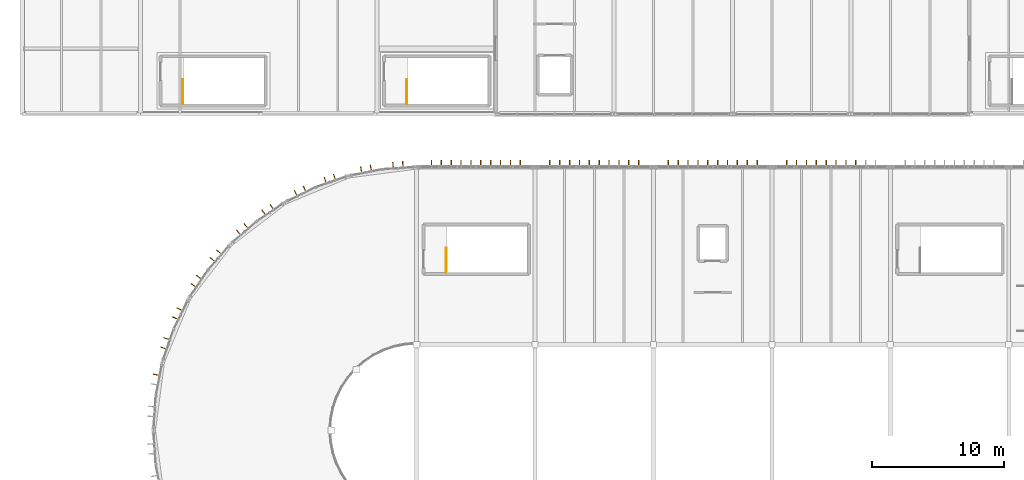
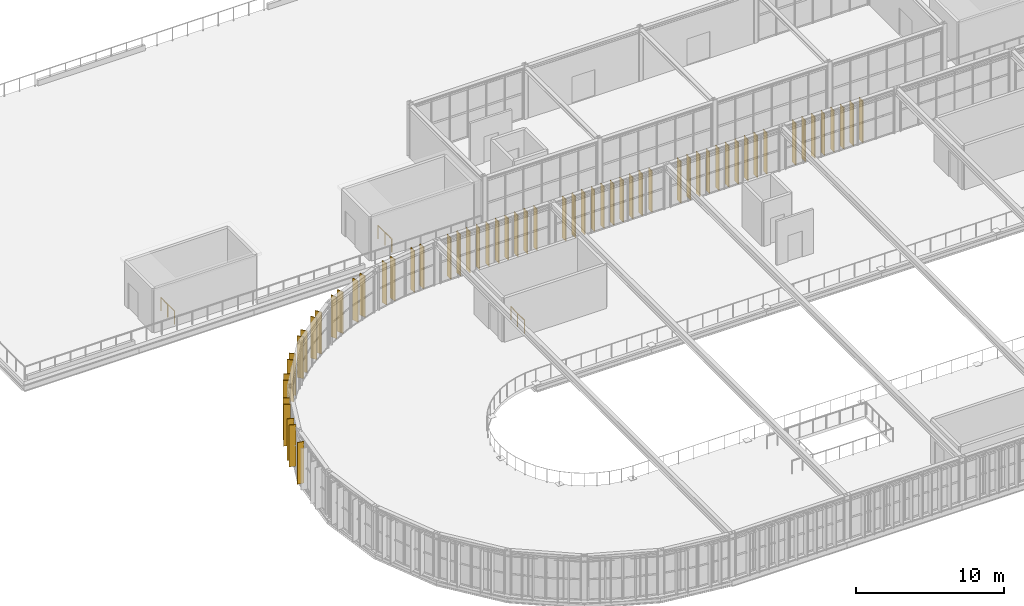
# One storey, part 146 of 152: 59 coverings, 3 railings.
"""IFC4 building model written with IfcOpenShell, lengths in metres."""

import ifcopenshell
import ifcopenshell.guid

model = None  # the IFC model being written
_history = None  # IfcOwnerHistory: only IFC2X3 demands one
_inside = {}  # id of a spatial element -> (the spatial element, [elements in it])
_under = {}  # id of a project, library or spatial element -> (it, [spatial elements below it])
_declared = {}  # id of a project -> (the project, [libraries it declares])
_typed = {}  # id of a type object -> (the type object, [elements of that type])
_made_of = {}  # id of a material, layer set ... -> (it, [elements and type objects made of it])


def new_model(schema):
    """Start an empty IFC model of exactly this schema.

    Asked for "IFC4X3", IfcOpenShell would pick the latest addendum, in which some entities
    have other attributes; the version numbers below select the first issue.
    IFC2X3 requires an IfcOwnerHistory on every rooted entity: one is made here for all.
    """
    global model, _history
    if schema == "IFC4X3":
        model = ifcopenshell.file(schema_version=(4, 3, 0, 0))
    else:
        model = ifcopenshell.file(schema=schema)
    _inside.clear()
    _under.clear()
    _declared.clear()
    _typed.clear()
    _made_of.clear()
    _history = None
    if model.schema == "IFC2X3":
        org = make("IfcOrganization", Name="unknown")
        user = make(
            "IfcPersonAndOrganization",
            ThePerson=make("IfcPerson", FamilyName="unknown"),
            TheOrganization=org,
        )
        app = make(
            "IfcApplication",
            ApplicationDeveloper=org,
            Version="unknown",
            ApplicationFullName="unknown",
            ApplicationIdentifier="unknown",
        )
        _history = make(
            "IfcOwnerHistory",
            OwningUser=user,
            OwningApplication=app,
            ChangeAction="ADDED",
            CreationDate=0,
        )
    return model


def make(cls, **values):
    """One entity of the class cls with the attributes given. An attribute that is None is left unset."""
    return model.create_entity(
        cls, **{name: value for name, value in values.items() if value is not None}
    )


def rooted(cls, **values):
    """An entity with a GlobalId (a new one), such as an element, a storey or a relation."""
    return make(cls, GlobalId=ifcopenshell.guid.new(), OwnerHistory=_history, **values)


def si_unit(unit_type, name, prefix=None):
    """IfcSIUnit, for example si_unit("LENGTHUNIT", "METRE", prefix="MILLI")."""
    return make("IfcSIUnit", UnitType=unit_type, Prefix=prefix, Name=name)


def derived_unit(unit_type, elements):
    """IfcDerivedUnit: a product of units, each with its exponent."""
    return make(
        "IfcDerivedUnit",
        Elements=[
            make("IfcDerivedUnitElement", Unit=unit, Exponent=power)
            for unit, power in elements
        ],
        UnitType=unit_type,
    )


def assignment(units):
    """IfcUnitAssignment: the units of a project."""
    return None if units is None else make("IfcUnitAssignment", Units=units)


def point(xyz):
    """IfcCartesianPoint."""
    return None if xyz is None else make("IfcCartesianPoint", Coordinates=xyz)


def direction(xyz):
    """IfcDirection."""
    return None if xyz is None else make("IfcDirection", DirectionRatios=xyz)


def frame(location, z_axis=None, x_axis=None):
    """IfcAxis2Placement3D, a coordinate frame: its origin and axes. An axis left out is left unset."""
    return make(
        "IfcAxis2Placement3D",
        Location=point(location),
        Axis=direction(z_axis),
        RefDirection=direction(x_axis),
    )


def frame_2d(location, x_axis=None):
    """IfcAxis2Placement2D, a coordinate frame in the plane: its origin and x axis."""
    return make(
        "IfcAxis2Placement2D", Location=point(location), RefDirection=direction(x_axis)
    )


def origin():
    """The frame at (0, 0, 0) with its axes left unset."""
    return frame((0.0, 0.0, 0.0))


def origin_2d():
    """The frame at (0, 0) in the plane with its x axis left unset."""
    return frame_2d((0.0, 0.0))


def place(relative_to, where):
    """IfcLocalPlacement: puts the frame where relative to a parent placement (None: the world)."""
    return make(
        "IfcLocalPlacement", PlacementRelTo=relative_to, RelativePlacement=where
    )


def context(
    kind, dimensions, precision=None, world=None, true_north=None, identifier=None
):
    """IfcGeometricRepresentationContext, for example the 3D "Model" context."""
    return make(
        "IfcGeometricRepresentationContext",
        ContextIdentifier=identifier,
        ContextType=kind,
        CoordinateSpaceDimension=dimensions,
        Precision=precision,
        WorldCoordinateSystem=world,
        TrueNorth=true_north,
    )


def subcontext(parent, identifier, kind, view, scale=None):
    """IfcGeometricRepresentationSubContext, for example "Body" below "Model"."""
    return make(
        "IfcGeometricRepresentationSubContext",
        ContextIdentifier=identifier,
        ContextType=kind,
        ParentContext=parent,
        TargetScale=scale,
        TargetView=view,
    )


def project(units=None, contexts=None):
    """IfcProject with its units and contexts."""
    return rooted(
        "IfcProject",
        Name="project",
        RepresentationContexts=contexts,
        UnitsInContext=assignment(units),
    )


def spatial(cls, under=None, at=None, **own):
    """A site, building, storey or space (cls), placed at a placement, below another one or the project."""
    s = rooted(cls, ObjectPlacement=at, **own)
    if under is not None:
        _under.setdefault(under.id(), (under, []))[1].append(s)
    return s


def profile(cls, at=None, kind="AREA", **sizes):
    """A parametric profile (cls). Its sizes go by their IFC names, for example OverallWidth=200.0."""
    return make(cls, ProfileType=kind, Position=at, **sizes)


def rectangle(**sizes):
    """IfcRectangleProfileDef."""
    return profile("IfcRectangleProfileDef", **sizes)


def circle(**sizes):
    """IfcCircleProfileDef."""
    return profile("IfcCircleProfileDef", **sizes)


def extrude(swept, where, along, depth):
    """IfcExtrudedAreaSolid: the profile swept, set in the frame where, extruded along a direction by depth."""
    return make(
        "IfcExtrudedAreaSolid",
        SweptArea=swept,
        Position=where,
        ExtrudedDirection=direction(along),
        Depth=depth,
    )


def shape(context_of_items, identifier, shape_type, items):
    """IfcShapeRepresentation: the items that make up one representation, for example the "Body"."""
    return make(
        "IfcShapeRepresentation",
        ContextOfItems=context_of_items,
        RepresentationIdentifier=identifier,
        RepresentationType=shape_type,
        Items=items,
    )


def material(Name=None, Category=None):
    """IfcMaterial."""
    return make("IfcMaterial", Name=Name, Category=Category)


def layer(
    of_material, thickness, ventilated=None, Name=None, Category=None, Priority=None
):
    """IfcMaterialLayer: one layer of a wall or slab, of a material (None: an air gap)."""
    return make(
        "IfcMaterialLayer",
        Material=of_material,
        LayerThickness=thickness,
        IsVentilated=ventilated,
        Name=Name,
        Category=Category,
        Priority=Priority,
    )


def layer_set(layers, Name=None):
    """IfcMaterialLayerSet."""
    return make("IfcMaterialLayerSet", MaterialLayers=layers, LayerSetName=Name)


def made_of(thing, what):
    """Note that an element or type object is made of a material, layer set ...; save() writes the relation."""
    if what is not None:
        _made_of.setdefault(what.id(), (what, []))[1].append(thing)
    return thing


def type_object(cls, material=None, **own):
    """A type object (cls), such as IfcWallType, which elements share."""
    return made_of(rooted(cls, **own), material)


def element(
    cls,
    number,
    at=None,
    inside=None,
    cuts=None,
    type_object=None,
    material=None,
    context=None,
    identifier="Body",
    shape_type=None,
    held_by="IfcProductDefinitionShape",
    body=None,
    shapes=None,
    **own,
):
    """One element of the class cls, such as IfcWall. Its Tag is "e" and its number.

    at: its placement. inside: the storey or other place that contains it. cuts: it is an
    opening in that element (IfcRelVoidsElement). A single representation is given by context,
    identifier, shape_type and body (its items); several are given by shapes. held_by: the class
    of the entity that holds the representations. save() writes the other relations.
    """
    e = rooted(cls, Tag="e%d" % number, ObjectPlacement=at, **own)
    if body is not None:
        shapes = [shape(context, identifier, shape_type, body)]
    if shapes is not None:
        e.Representation = make(held_by, Representations=shapes)
    if inside is not None:
        _inside.setdefault(inside.id(), (inside, []))[1].append(e)
    if cuts is not None:
        rooted(
            "IfcRelVoidsElement", RelatingBuildingElement=cuts, RelatedOpeningElement=e
        )
    if type_object is not None:
        _typed.setdefault(type_object.id(), (type_object, []))[1].append(e)
    return made_of(e, material)


def aggregate(whole, parts):
    """IfcRelAggregates: a whole, such as a stair, and the parts it consists of."""
    return rooted("IfcRelAggregates", RelatingObject=whole, RelatedObjects=parts)


def save(model, path):
    """Write the relations noted so far, then the file.

    IfcRelAggregates (storeys below a building ...), IfcRelContainedInSpatialStructure (elements
    in a storey), IfcRelDefinesByType, IfcRelAssociatesMaterial and IfcRelDeclares: one each for
    every whole, place, type object, material and project.
    """
    for whole, parts in _under.values():
        aggregate(whole, parts)
    for where, things in _inside.values():
        rooted(
            "IfcRelContainedInSpatialStructure",
            RelatedElements=things,
            RelatingStructure=where,
        )
    for kind, things in _typed.values():
        rooted("IfcRelDefinesByType", RelatedObjects=things, RelatingType=kind)
    for what, things in _made_of.values():
        rooted("IfcRelAssociatesMaterial", RelatedObjects=things, RelatingMaterial=what)
    for by, libraries in _declared.values():
        rooted("IfcRelDeclares", RelatingContext=by, RelatedDefinitions=libraries)
    model.write(path)


model = new_model("IFC4")

# Units and contexts
model_context = context("Model", 3, precision=1e-05, world=origin(), true_north=direction((0.0, 1.0)))
body_context = subcontext(model_context, "Body", "Model", "MODEL_VIEW")
ifc_project = project(units=[si_unit("LENGTHUNIT", "METRE"), si_unit("AREAUNIT", "SQUARE_METRE"), si_unit("VOLUMEUNIT", "CUBIC_METRE"), si_unit("PLANEANGLEUNIT", "RADIAN"), si_unit("MASSUNIT", "GRAM", prefix="KILO"), si_unit("THERMODYNAMICTEMPERATUREUNIT", "KELVIN"), si_unit("TIMEUNIT", "SECOND"), derived_unit("THERMALTRANSMITTANCEUNIT", [(si_unit("MASSUNIT", "GRAM", prefix="KILO"), 1), (si_unit("THERMODYNAMICTEMPERATUREUNIT", "KELVIN"), -1), (si_unit("TIMEUNIT", "SECOND"), -3)])], contexts=[model_context])

# Site, building, storey
site_placement = place(None, origin())
site = spatial("IfcSite", under=ifc_project, at=site_placement, CompositionType="ELEMENT")
building_placement = place(site_placement, origin())
building = spatial("IfcBuilding", under=site, at=building_placement, Name="Cambertide Market Hall", CompositionType="ELEMENT")
storey_placement = place(building_placement, frame((0.0, 0.0, 5.39990234375)))
storey = spatial("IfcBuildingStorey", under=building, at=storey_placement, Name="L02", CompositionType="ELEMENT", Elevation=5.39990234375)

# Railings
ifc_material_1 = material(Name="Stainless Steel Grade 316", Category="metal")
railing_type = type_object("IfcRailingType", Name="Stairwell Inner Guardrail 1100", PredefinedType="GUARDRAIL", material=ifc_material_1)
railing_placement = place(storey_placement, frame((44.25, 84.0, 0.0)))
element("IfcRailing", 1, at=railing_placement, inside=storey, type_object=railing_type, Name="Level 2 ST-01 top well guard 1", PredefinedType="GUARDRAIL", context=body_context, shape_type="SweptSolid", body=[
    extrude(circle(Radius=0.02392578125, at=origin_2d()), frame((0.0, 0.0, 1.076171875), z_axis=(0.0, 1.0, 0.0), x_axis=(-1.0, 0.0, 0.0)), (0.0, 0.0, 1.0), 1.85009765625),
    extrude(circle(Radius=0.02099609375, at=origin_2d()), origin(), (0.0, 0.0, 1.0), 1.052001953125),
    extrude(circle(Radius=0.02099609375, at=origin_2d()), frame((0.0, 0.925048828125, 0.0)), (0.0, 0.0, 1.0), 1.052001953125),
    extrude(circle(Radius=0.02099609375, at=origin_2d()), frame((0.0, 1.85009765625, 0.0)), (0.0, 0.0, 1.0), 1.052001953125),
])
for number, where, name in (
    (2, (24.25, 96.800048828125, 0.0), "Level 2 ST-03 top well guard 1"),
    (3, (41.25, 96.800048828125, 0.0), "Level 2 ST-03B top well guard 1"),
):
    element("IfcRailing", number, at=place(storey_placement, frame(where)), inside=storey, type_object=railing_type, Name=name, PredefinedType="GUARDRAIL", context=body_context, shape_type="SweptSolid", body=[
        extrude(circle(Radius=0.02392578125, at=origin_2d()), frame((0.0, 0.0, 1.076171875), z_axis=(0.0, 1.0, 0.0), x_axis=(-1.0, 0.0, 0.0)), (0.0, 0.0, 1.0), 1.849853515625),
        extrude(circle(Radius=0.02099609375, at=origin_2d()), origin(), (0.0, 0.0, 1.0), 1.052001953125),
        extrude(circle(Radius=0.02099609375, at=origin_2d()), frame((0.0, 0.9248046875, 0.0)), (0.0, 0.0, 1.0), 1.052001953125),
        extrude(circle(Radius=0.02099609375, at=origin_2d()), frame((0.0, 1.849853515625, 0.0)), (0.0, 0.0, 1.0), 1.052001953125),
    ])

# Coverings
ifc_material_2 = material(Name="White Marine Anodized Aluminium 6063-T6 AA25", Category="aluminium")
ifc_layer = layer(ifc_material_2, 0.06005859375, Name="White Anodized Lantern Vertical Fin 480x60")
ifc_layer_set = layer_set([ifc_layer], Name="White Marine Anodized Aluminium 6063-T6 AA25")
covering_type = type_object("IfcCoveringType", Name="White Anodized Lantern Vertical Fin 480x60", PredefinedType="CLADDING", material=ifc_layer_set)
for number, where, z_axis, x_axis, name in (
    (4, (43.125, 92.260009765625, 0.0), (0.0, 0.0, 1.0), (1.0, 0.0, 0.0), "CW-V1N-L02-1 Vertical Fin 1"),
    (5, (43.875, 92.260009765625, 0.0), (0.0, 0.0, 1.0), (1.0, 0.0, 0.0), "CW-V1N-L02-1 Vertical Fin 2"),
    (6, (44.625, 92.260009765625, 0.0), (0.0, 0.0, 1.0), (1.0, 0.0, 0.0), "CW-V1N-L02-1 Vertical Fin 3"),
    (7, (45.375, 92.260009765625, 0.0), (0.0, 0.0, 1.0), (1.0, 0.0, 0.0), "CW-V1N-L02-1 Vertical Fin 4"),
    (8, (46.125, 92.260009765625, 0.0), (0.0, 0.0, 1.0), (1.0, 0.0, 0.0), "CW-V1N-L02-1 Vertical Fin 5"),
    (9, (46.875, 92.260009765625, 0.0), (0.0, 0.0, 1.0), (1.0, 0.0, 0.0), "CW-V1N-L02-1 Vertical Fin 6"),
    (10, (47.625, 92.260009765625, 0.0), (0.0, 0.0, 1.0), (1.0, 0.0, 0.0), "CW-V1N-L02-1 Vertical Fin 7"),
    (11, (48.375, 92.260009765625, 0.0), (0.0, 0.0, 1.0), (1.0, 0.0, 0.0), "CW-V1N-L02-1 Vertical Fin 8"),
    (12, (49.125, 92.260009765625, 0.0), (0.0, 0.0, 1.0), (1.0, 0.0, 0.0), "CW-V1N-L02-1 Vertical Fin 9"),
    (13, (49.875, 92.260009765625, 0.0), (0.0, 0.0, 1.0), (1.0, 0.0, 0.0), "CW-V1N-L02-1 Vertical Fin 10"),
    (14, (52.125, 92.260009765625, 0.0), (0.0, 0.0, 1.0), (1.0, 0.0, 0.0), "CW-V1N-L02-2 Vertical Fin 1"),
    (15, (52.875, 92.260009765625, 0.0), (0.0, 0.0, 1.0), (1.0, 0.0, 0.0), "CW-V1N-L02-2 Vertical Fin 2"),
    (16, (53.625, 92.260009765625, 0.0), (0.0, 0.0, 1.0), (1.0, 0.0, 0.0), "CW-V1N-L02-2 Vertical Fin 3"),
    (17, (54.375, 92.260009765625, 0.0), (0.0, 0.0, 1.0), (1.0, 0.0, 0.0), "CW-V1N-L02-2 Vertical Fin 4"),
    (18, (55.125, 92.260009765625, 0.0), (0.0, 0.0, 1.0), (1.0, 0.0, 0.0), "CW-V1N-L02-2 Vertical Fin 5"),
    (19, (55.875, 92.260009765625, 0.0), (0.0, 0.0, 1.0), (1.0, 0.0, 0.0), "CW-V1N-L02-2 Vertical Fin 6"),
    (20, (56.625, 92.260009765625, 0.0), (0.0, 0.0, 1.0), (1.0, 0.0, 0.0), "CW-V1N-L02-2 Vertical Fin 7"),
    (21, (57.375, 92.260009765625, 0.0), (0.0, 0.0, 1.0), (1.0, 0.0, 0.0), "CW-V1N-L02-2 Vertical Fin 8"),
    (22, (58.125, 92.260009765625, 0.0), (0.0, 0.0, 1.0), (1.0, 0.0, 0.0), "CW-V1N-L02-2 Vertical Fin 9"),
    (23, (58.875, 92.260009765625, 0.0), (0.0, 0.0, 1.0), (1.0, 0.0, 0.0), "CW-V1N-L02-2 Vertical Fin 10"),
    (24, (61.125, 92.260009765625, 0.0), (0.0, 0.0, 1.0), (1.0, 0.0, 0.0), "CW-V1N-L02-3 Vertical Fin 1"),
    (25, (61.875, 92.260009765625, 0.0), (0.0, 0.0, 1.0), (1.0, 0.0, 0.0), "CW-V1N-L02-3 Vertical Fin 2"),
    (26, (62.625, 92.260009765625, 0.0), (0.0, 0.0, 1.0), (1.0, 0.0, 0.0), "CW-V1N-L02-3 Vertical Fin 3"),
    (27, (63.375, 92.260009765625, 0.0), (0.0, 0.0, 1.0), (1.0, 0.0, 0.0), "CW-V1N-L02-3 Vertical Fin 4"),
    (28, (64.125, 92.260009765625, 0.0), (0.0, 0.0, 1.0), (1.0, 0.0, 0.0), "CW-V1N-L02-3 Vertical Fin 5"),
    (29, (64.875, 92.260009765625, 0.0), (0.0, 0.0, 1.0), (1.0, 0.0, 0.0), "CW-V1N-L02-3 Vertical Fin 6"),
    (30, (65.625, 92.260009765625, 0.0), (0.0, 0.0, 1.0), (1.0, 0.0, 0.0), "CW-V1N-L02-3 Vertical Fin 7"),
    (31, (66.375, 92.260009765625, 0.0), (0.0, 0.0, 1.0), (1.0, 0.0, 0.0), "CW-V1N-L02-3 Vertical Fin 8"),
    (32, (67.125, 92.260009765625, 0.0), (0.0, 0.0, 1.0), (1.0, 0.0, 0.0), "CW-V1N-L02-3 Vertical Fin 9"),
    (33, (67.875, 92.260009765625, 0.0), (0.0, 0.0, 1.0), (1.0, 0.0, 0.0), "CW-V1N-L02-3 Vertical Fin 10"),
    (34, (70.125, 92.260009765625, 0.0), (0.0, 0.0, 1.0), (1.0, 0.0, 0.0), "CW-V1N-L02-4 Vertical Fin 1"),
    (35, (70.875, 92.260009765625, 0.0), (0.0, 0.0, 1.0), (1.0, 0.0, 0.0), "CW-V1N-L02-4 Vertical Fin 2"),
    (36, (71.625, 92.260009765625, 0.0), (0.0, 0.0, 1.0), (1.0, 0.0, 0.0), "CW-V1N-L02-4 Vertical Fin 3"),
    (37, (72.375, 92.260009765625, 0.0), (0.0, 0.0, 1.0), (1.0, 0.0, 0.0), "CW-V1N-L02-4 Vertical Fin 4"),
    (38, (73.125, 92.260009765625, 0.0), (0.0, 0.0, 1.0), (1.0, 0.0, 0.0), "CW-V1N-L02-4 Vertical Fin 5"),
    (39, (73.875, 92.260009765625, 0.0), (0.0, 0.0, 1.0), (1.0, 0.0, 0.0), "CW-V1N-L02-4 Vertical Fin 6"),
    (40, (74.625, 92.260009765625, 0.0), (0.0, 0.0, 1.0), (1.0, 0.0, 0.0), "CW-V1N-L02-4 Vertical Fin 7"),
    (41, (75.375, 92.260009765625, 0.0), (0.0, 0.0, 1.0), (1.0, 0.0, 0.0), "CW-V1N-L02-4 Vertical Fin 8"),
    (42, (40.203857421875, 92.142822265625, 0.0), (0.0, 0.0, 1.0), (0.997858917819, 0.065403211921, 0.0), "CW-V1AW-L02-01 Vertical Fin 1"),
    (43, (40.9521484375, 92.19189453125, 0.0), (0.0, 0.0, 1.0), (0.997858917819, 0.065403211921, 0.0), "CW-V1AW-L02-01 Vertical Fin 2"),
    (44, (37.7861328125, 91.775146484375, 0.0), (0.0, 0.0, 1.0), (0.980785330885, 0.195090068226, 0.0), "CW-V1AW-L02-02 Vertical Fin 1"),
    (45, (38.521728515625, 91.92138671875, 0.0), (0.0, 0.0, 1.0), (0.980785330885, 0.195090068226, 0.0), "CW-V1AW-L02-02 Vertical Fin 2"),
    (46, (35.051513671875, 90.991455078125, 0.0), (0.0, 0.0, 1.0), (0.94693012508, 0.32143947831, 0.0), "CW-V1AW-L02-03 Vertical Fin 1"),
    (47, (35.76171875, 91.232666015625, 0.0), (0.0, 0.0, 1.0), (0.94693012508, 0.32143947831, 0.0), "CW-V1AW-L02-03 Vertical Fin 2"),
    (48, (32.8115234375, 90.010498046875, 0.0), (0.0, 0.0, 1.0), (0.896872650645, 0.442288874522, 0.0), "CW-V1AW-L02-04 Vertical Fin 1"),
    (49, (33.484130859375, 90.34228515625, 0.0), (0.0, 0.0, 1.0), (0.896872650645, 0.442288874522, 0.0), "CW-V1AW-L02-04 Vertical Fin 2"),
    (50, (30.373046875, 88.546142578125, 0.0), (0.0, 0.0, 1.0), (0.831469709481, 0.555570087582, 0.0), "CW-V1AW-L02-05 Vertical Fin 1"),
    (51, (30.99658203125, 88.962646484375, 0.0), (0.0, 0.0, 1.0), (0.831469709481, 0.555570087582, 0.0), "CW-V1AW-L02-05 Vertical Fin 2"),
    (52, (28.463134765625, 87.018798828125, 0.0), (0.0, 0.0, 1.0), (0.751839834741, 0.659345784014, 0.0), "CW-V1AW-L02-06 Vertical Fin 1"),
    (53, (29.027099609375, 87.51318359375, 0.0), (0.0, 0.0, 1.0), (0.751839834741, 0.659345784014, 0.0), "CW-V1AW-L02-06 Vertical Fin 2"),
    (54, (26.48681640625, 84.972900390625, 0.0), (0.0, 0.0, 1.0), (0.659345784014, 0.751839834741, 0.0), "CW-V1AW-L02-07 Vertical Fin 1"),
    (55, (26.981201171875, 85.536865234375, 0.0), (0.0, 0.0, 1.0), (0.659345784014, 0.751839834741, 0.0), "CW-V1AW-L02-07 Vertical Fin 2"),
    (56, (25.037353515625, 83.00341796875, 0.0), (0.0, 0.0, 1.0), (0.555570087582, 0.831469709481, 0.0), "CW-V1AW-L02-08 Vertical Fin 1"),
    (57, (25.453857421875, 83.626953125, 0.0), (0.0, 0.0, 1.0), (0.555570087582, 0.831469709481, 0.0), "CW-V1AW-L02-08 Vertical Fin 2"),
    (58, (23.65771484375, 80.515869140625, 0.0), (0.0, 0.0, 1.0), (0.442288874522, 0.896872650645, 0.0), "CW-V1AW-L02-09 Vertical Fin 1"),
    (59, (23.989501953125, 81.1884765625, 0.0), (0.0, 0.0, 1.0), (0.442288874522, 0.896872650645, 0.0), "CW-V1AW-L02-09 Vertical Fin 2"),
    (60, (22.767333984375, 78.23828125, 0.0), (0.0, 0.0, 1.0), (0.32143947831, 0.94693012508, 0.0), "CW-V1AW-L02-10 Vertical Fin 1"),
    (61, (23.008544921875, 78.948486328125, 0.0), (0.0, 0.0, 1.0), (0.32143947831, 0.94693012508, 0.0), "CW-V1AW-L02-10 Vertical Fin 2"),
    (62, (22.224853515625, 76.2138671875, 0.0), (0.0, 0.0, 1.0), (0.195090068226, 0.980785330885, 0.0), "CW-V1AW-L02-11 Vertical Fin 2"),
):
    element("IfcCovering", number, at=place(storey_placement, frame(where, z_axis=z_axis, x_axis=x_axis)), inside=storey, type_object=covering_type, Name=name, PredefinedType="CLADDING", context=body_context, shape_type="SweptSolid", body=[
        extrude(rectangle(XDim=0.06005859375, YDim=0.47998046875, at=origin_2d()), origin(), (0.0, 0.0, 1.0), 3.449951171875),
    ])

save(model, "model.ifc")
